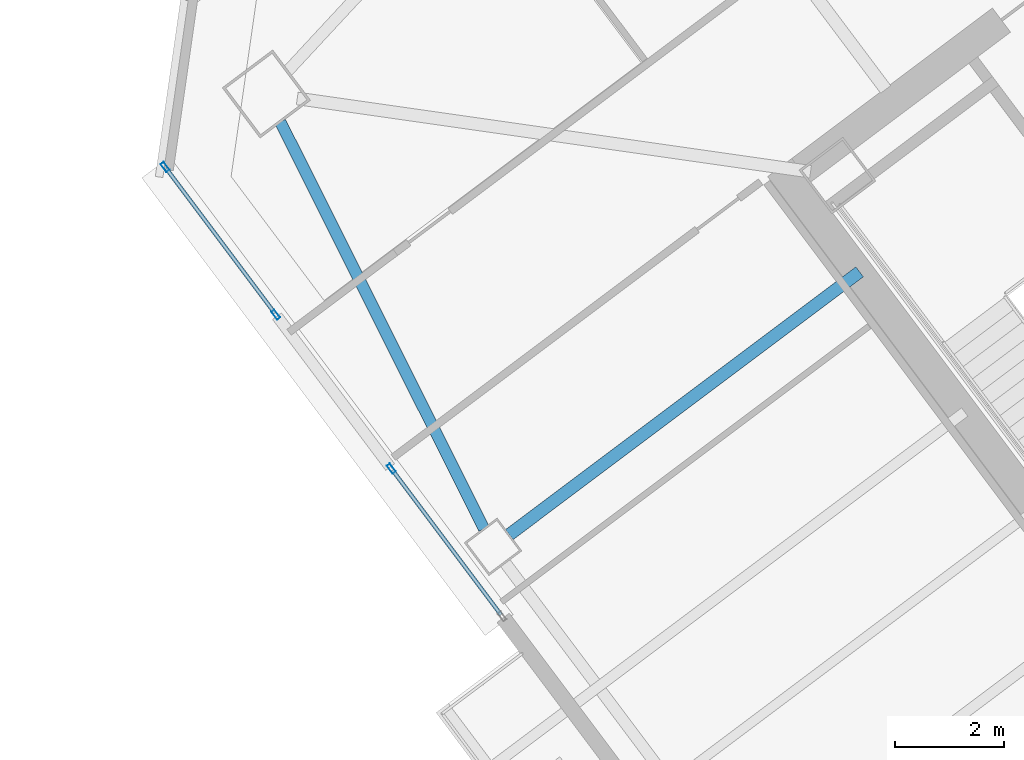
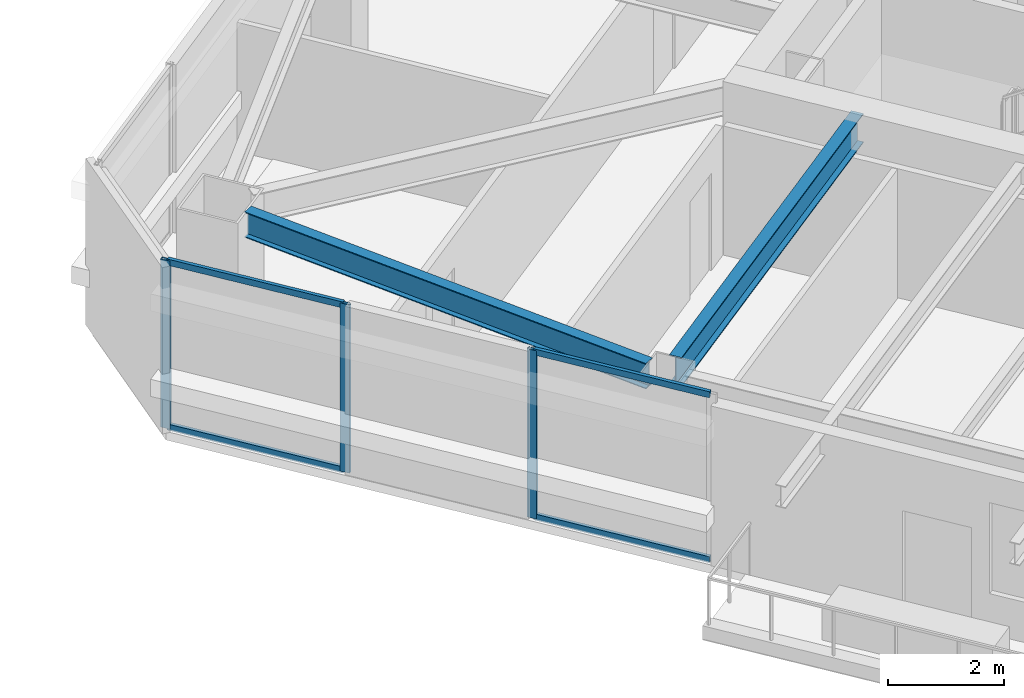
# One storey, part 19 of 41: 7 members, 2 beams, 2 elements without a shape of their own.
"""IFC4 building model written with IfcOpenShell, lengths in metres."""

from ifc_helpers import new_model, si_unit, direction, frame, origin, origin_2d, place, context, subcontext, project, spatial, hollow_rectangle, i_section, extrude, material, material_profile, profile_set, type_object, element, aggregate, save


model = new_model("IFC4")

# Units and contexts
model_context = context("Model", 3, precision=1e-05, world=origin(), true_north=direction((0.0, 1.0)))
body_context = subcontext(model_context, "Body", "Model", "MODEL_VIEW")
ifc_project = project(units=[si_unit("LENGTHUNIT", "METRE"), si_unit("AREAUNIT", "SQUARE_METRE"), si_unit("VOLUMEUNIT", "CUBIC_METRE"), si_unit("PLANEANGLEUNIT", "RADIAN"), si_unit("MASSUNIT", "GRAM", prefix="KILO")], contexts=[model_context])

# Site, building, storey
site_placement = place(None, origin())
site = spatial("IfcSite", under=ifc_project, at=site_placement, CompositionType="ELEMENT")
building_placement = place(site_placement, origin())
building = spatial("IfcBuilding", under=site, at=building_placement, Name="Tashvorn Skyway Center", CompositionType="ELEMENT")
storey_placement = place(building_placement, frame((0.0, 0.0, 171.199951171875)))
storey = spatial("IfcBuildingStorey", under=building, at=storey_placement, Name="L46", CompositionType="ELEMENT", Elevation=171.199951171875)

# Beams
ifc_material_1 = material(Name="Steel ASTM A992 Grade 50", Category="steel")
ifc_material_profile_1 = material_profile(ifc_material_1, i_section(OverallWidth=0.22998046875, OverallDepth=0.616943359375, WebThickness=0.01318359375, FlangeThickness=0.022216796875, at=origin_2d()), Name="W24X94")
ifc_profile_set_1 = profile_set([ifc_material_profile_1], Name="Steel ASTM A992 Grade 50")
beam_type_1 = type_object("IfcBeamType", Name="BM-BEAM-W24X94", PredefinedType="BEAM", material=ifc_profile_set_1)
beam_1_placement = place(storey_placement, frame((98.135986328125, 26.85205078125, 3.0615234375), z_axis=(0.799992675677, 0.60000976564, 0.0), x_axis=(-0.60000976564, 0.799992675677, 0.0)))
element("IfcBeam", 1, at=beam_1_placement, inside=storey, type_object=beam_type_1, Name="Tower 2 L46 Primary Floor Girder FC-W1", PredefinedType="BEAM", context=body_context, shape_type="SweptSolid", body=[
    extrude(i_section(OverallWidth=0.22998046875, OverallDepth=0.616943359375, WebThickness=0.01318359375, FlangeThickness=0.022216796875, at=origin_2d()), origin(), (0.0, 0.0, 1.0), 8.0),
])
ifc_material_profile_2 = material_profile(ifc_material_1, i_section(OverallWidth=0.2109375, OverallDepth=0.5390625, WebThickness=0.01171875, FlangeThickness=0.018798828125, at=origin_2d()), Name="W21X73")
ifc_profile_set_2 = profile_set([ifc_material_profile_2], Name="Steel ASTM A992 Grade 50")
beam_type_2 = type_object("IfcBeamType", Name="BM-SPANDREL-W21X73", PredefinedType="SPANDREL", material=ifc_profile_set_2)
beam_2_placement = place(storey_placement, frame((93.955078125, 34.390380859375, 3.1005859375), z_axis=(0.447648438059, -0.894209637559, 0.0), x_axis=(0.894209637559, 0.447648438059, 0.0)))
element("IfcBeam", 2, at=beam_2_placement, inside=storey, type_object=beam_type_2, Name="Tower 2 L46 Spandrel Beam 10", PredefinedType="SPANDREL", context=body_context, shape_type="SweptSolid", body=[
    extrude(i_section(OverallWidth=0.2109375, OverallDepth=0.5390625, WebThickness=0.01171875, FlangeThickness=0.018798828125, at=origin_2d()), origin(), (0.0, 0.0, 1.0), 8.308349609375),
])

# Curtain wall, member
ifc_material_2 = material(Name="Thermally broken bronze-anodized aluminium 6063-T6", Category="aluminium")
curtain_wall_type = type_object("IfcCurtainWallType", Name="CW-CW-Z4", PredefinedType="NOTDEFINED", material=ifc_material_2)
curtain_wall_1_placement = place(storey_placement, origin())
curtain_wall_1 = element("IfcCurtainWall", 3, at=curtain_wall_1_placement, inside=storey, type_object=curtain_wall_type, Name="Tower 2 L46 West Curtain Wall R Glazing Group 1", PredefinedType="NOTDEFINED")
ifc_material_profile_3 = material_profile(ifc_material_2, hollow_rectangle(XDim=0.070068359375, YDim=0.179931640625, WallThickness=0.00390625, at=origin_2d()), Name="ALU-MULL-70x180")
ifc_profile_set_3 = profile_set([ifc_material_profile_3], Name="Thermally broken bronze-anodized aluminium 6063-T6")
member_type_1 = type_object("IfcMemberType", Name="CWM-CW-Z4", PredefinedType="MULLION", material=ifc_profile_set_3)
member_1_placement = place(storey_placement, frame((95.98095703125, 28.05859375, 0.0), z_axis=(0.0, 0.0, 1.0), x_axis=(-0.800003484954, -0.599995353367, 0.0)))
member_1 = element("IfcMember", 4, at=member_1_placement, type_object=member_type_1, Name="CW-Z4 mullion 2", PredefinedType="MULLION", context=body_context, shape_type="SweptSolid", body=[
    extrude(hollow_rectangle(XDim=0.070068359375, YDim=0.179931640625, WallThickness=0.00390625, at=origin_2d()), origin(), (0.0, 0.0, 1.0), 3.550048828125),
])

# Curtain wall, members
curtain_wall_2_placement = place(storey_placement, origin())
curtain_wall_2 = element("IfcCurtainWall", 5, at=curtain_wall_2_placement, inside=storey, type_object=curtain_wall_type, Name="Tower 2 L46 West Curtain Wall R Glazing Group 2", PredefinedType="NOTDEFINED")
member_2_placement = place(storey_placement, frame((93.873046875, 30.869384765625, 0.0), z_axis=(0.0, 0.0, 1.0), x_axis=(-0.800003484954, -0.599995353367, 0.0)))
member_2 = element("IfcMember", 6, at=member_2_placement, type_object=member_type_1, Name="CW-Z4 mullion 1", PredefinedType="MULLION", context=body_context, shape_type="SweptSolid", body=[
    extrude(hollow_rectangle(XDim=0.070068359375, YDim=0.179931640625, WallThickness=0.00390625, at=origin_2d()), origin(), (0.0, 0.0, 1.0), 3.550048828125),
])
member_3_placement = place(storey_placement, frame((91.84912109375, 33.568115234375, 0.0), z_axis=(0.0, 0.0, 1.0), x_axis=(-0.800003484954, -0.599995353367, 0.0)))
member_3 = element("IfcMember", 7, at=member_3_placement, type_object=member_type_1, Name="CW-Z4 mullion 2", PredefinedType="MULLION", context=body_context, shape_type="SweptSolid", body=[
    extrude(hollow_rectangle(XDim=0.070068359375, YDim=0.179931640625, WallThickness=0.00390625, at=origin_2d()), origin(), (0.0, 0.0, 1.0), 3.550048828125),
])

# Member
ifc_material_profile_4 = material_profile(ifc_material_2, hollow_rectangle(XDim=0.070068359375, YDim=0.1298828125, WallThickness=0.00390625, at=origin_2d()), Name="ALU-TRAN-70x130")
ifc_profile_set_4 = profile_set([ifc_material_profile_4], Name="Thermally broken bronze-anodized aluminium 6063-T6")
member_type_2 = type_object("IfcMemberType", Name="CWT-CW-Z4", PredefinedType="USERDEFINED", material=ifc_profile_set_4)
member_4_placement = place(storey_placement, frame((97.98388671875, 25.387939453125, 0.03515625), z_axis=(-0.599964524789, 0.800026605179, 0.0), x_axis=(-0.800026605179, -0.599964524789, 0.0)))
member_4 = element("IfcMember", 8, at=member_4_placement, type_object=member_type_2, Name="CW-Z4 transom 1.1", ObjectType="TRANSOM", PredefinedType="USERDEFINED", context=body_context, shape_type="SweptSolid", body=[
    extrude(hollow_rectangle(XDim=0.070068359375, YDim=0.1298828125, WallThickness=0.00390625, at=origin_2d()), origin(), (0.0, 0.0, 1.0), 3.303466796875),
])

member_5_placement = place(storey_placement, frame((97.98388671875, 25.387939453125, 3.51513671875), z_axis=(-0.599964524789, 0.800026605179, 0.0), x_axis=(-0.800026605179, -0.599964524789, 0.0)))
member_5 = element("IfcMember", 9, at=member_5_placement, type_object=member_type_2, Name="CW-Z4 transom 1.2", ObjectType="TRANSOM", PredefinedType="USERDEFINED", context=body_context, shape_type="SweptSolid", body=[
    extrude(hollow_rectangle(XDim=0.070068359375, YDim=0.1298828125, WallThickness=0.00390625, at=origin_2d()), origin(), (0.0, 0.0, 1.0), 3.303466796875),
])

aggregate(curtain_wall_1, [member_1, member_4, member_5])

member_6_placement = place(storey_placement, frame((93.85205078125, 30.897216796875, 0.03515625), z_axis=(-0.599964524789, 0.800026605179, 0.0), x_axis=(-0.800026605179, -0.599964524789, 0.0)))
member_6 = element("IfcMember", 10, at=member_6_placement, type_object=member_type_2, Name="CW-Z4 transom 1.1", ObjectType="TRANSOM", PredefinedType="USERDEFINED", context=body_context, shape_type="SweptSolid", body=[
    extrude(hollow_rectangle(XDim=0.070068359375, YDim=0.1298828125, WallThickness=0.00390625, at=origin_2d()), origin(), (0.0, 0.0, 1.0), 3.303466796875),
])

member_7_placement = place(storey_placement, frame((93.85205078125, 30.897216796875, 3.51513671875), z_axis=(-0.599964524789, 0.800026605179, 0.0), x_axis=(-0.800026605179, -0.599964524789, 0.0)))
member_7 = element("IfcMember", 11, at=member_7_placement, type_object=member_type_2, Name="CW-Z4 transom 1.2", ObjectType="TRANSOM", PredefinedType="USERDEFINED", context=body_context, shape_type="SweptSolid", body=[
    extrude(hollow_rectangle(XDim=0.070068359375, YDim=0.1298828125, WallThickness=0.00390625, at=origin_2d()), origin(), (0.0, 0.0, 1.0), 3.303466796875),
])

aggregate(curtain_wall_2, [member_2, member_3, member_6, member_7])

save(model, "model.ifc")
